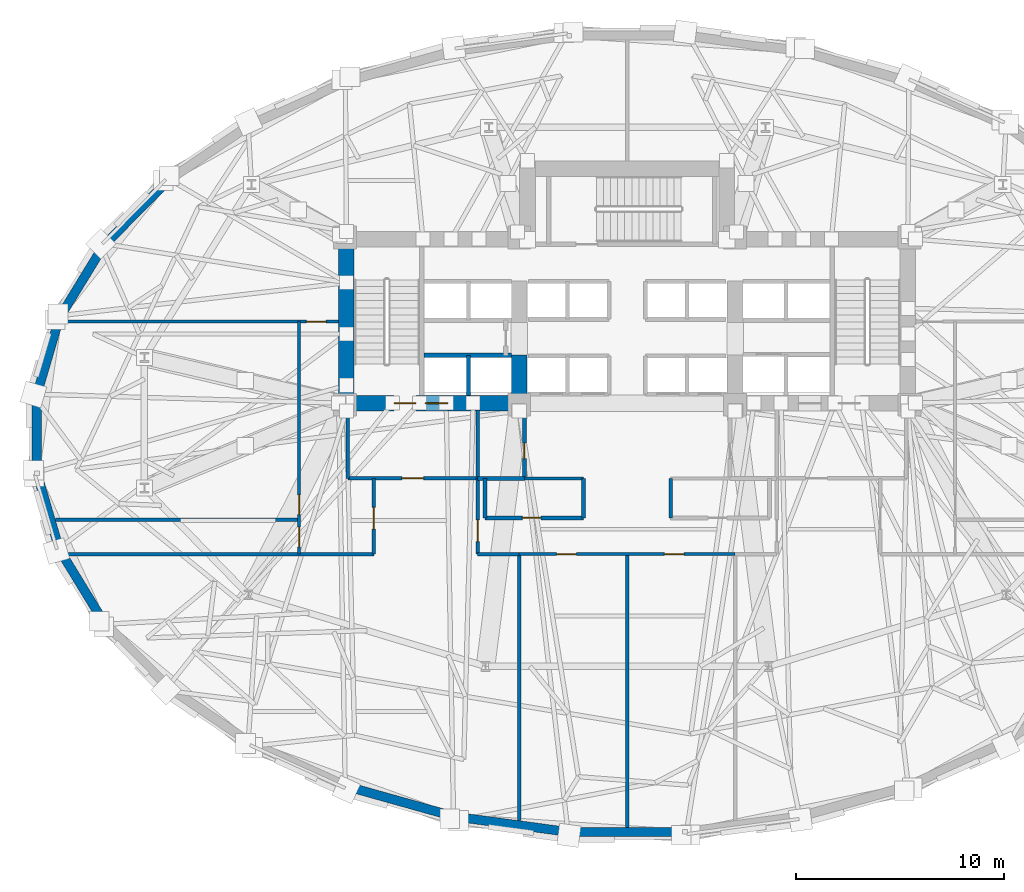
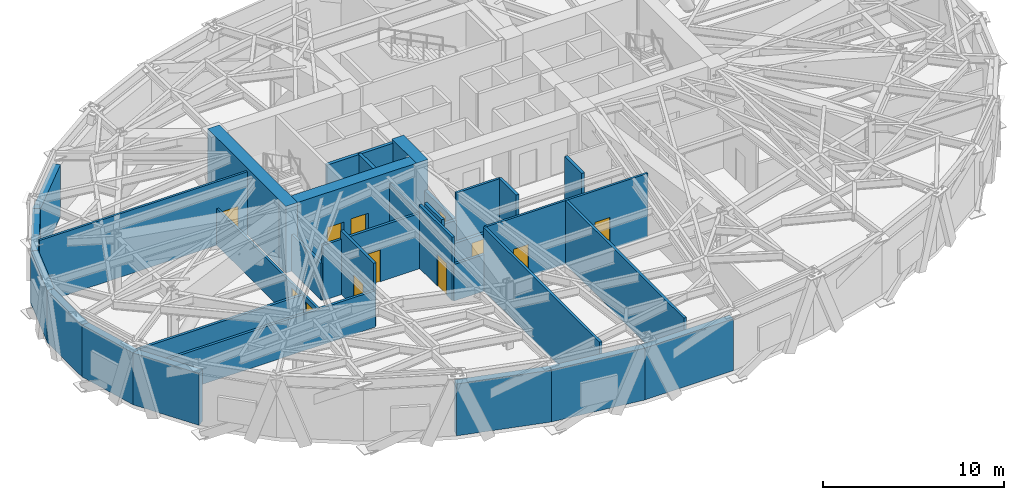
# One storey, part 7 of 14: 34 walls, 12 doors, 12 openings.
"""IFC4 building model written with IfcOpenShell, lengths in metres."""

from ifc_helpers import new_model, si_unit, direction, frame, frame_2d, origin, place, context, subcontext, project, spatial, rectangle, extrude, material, layer, layer_set, type_object, element, fill, save


model = new_model("IFC4")

# Units and contexts
model_context = context("Model", 3, precision=1e-05, world=origin(), true_north=direction((0.0, 1.0)))
body_context = subcontext(model_context, "Body", "Model", "MODEL_VIEW")
ifc_project = project(units=[si_unit("LENGTHUNIT", "METRE"), si_unit("AREAUNIT", "SQUARE_METRE"), si_unit("VOLUMEUNIT", "CUBIC_METRE"), si_unit("PLANEANGLEUNIT", "RADIAN"), si_unit("MASSUNIT", "GRAM", prefix="KILO")], contexts=[model_context])

# Site, building, storey
site_placement = place(None, origin())
site = spatial("IfcSite", under=ifc_project, at=site_placement, CompositionType="ELEMENT")
building_placement = place(site_placement, origin())
building = spatial("IfcBuilding", under=site, at=building_placement, Name="Keldmark Tower", CompositionType="ELEMENT")
storey_placement = place(building_placement, frame((0.0, 0.0, 77.39990234375)))
storey = spatial("IfcBuildingStorey", under=building, at=storey_placement, Name="L20", CompositionType="ELEMENT", Elevation=77.39990234375)

# Wall, openings, doors
ifc_material_1 = material(Name="Acoustic Double-Layer Gypsum Corridor Partition", Category="gypsum")
ifc_layer_1 = layer(ifc_material_1, 0.139892578125)
ifc_layer_set_1 = layer_set([ifc_layer_1], Name="Acoustic Double-Layer Gypsum Corridor Partition")
wall_type_1 = type_object("IfcWallType", Name="Acoustic Corridor Partition 140 mm", PredefinedType="PARTITIONING", material=ifc_layer_set_1)
wall_1_placement = place(storey_placement, frame((-5.199951171875, -5.800048828125, 0.0), z_axis=(0.0, 0.0, 1.0), x_axis=(1.0, 0.0, 0.0)))
wall_1 = element("IfcWall", 1, at=wall_1_placement, inside=storey, type_object=wall_type_1, Name="L20 Acoustic Corridor Partition 140 mm PCOR-CS", PredefinedType="PARTITIONING", context=body_context, shape_type="SweptSolid", body=[
    extrude(rectangle(XDim=10.39990234375, YDim=0.139892578125, at=frame_2d((5.199951171875, 0.0))), origin(), (0.0, 0.0, 1.0), 4.280029296875),
])
opening_1_placement = place(wall_1_placement, frame((1.800048828125, 0.0, 0.0)))
opening_1 = element("IfcOpeningElement", 2, at=opening_1_placement, cuts=wall_1, Name="Opening D-AWC95", PredefinedType="OPENING", context=body_context, shape_type="SweptSolid", body=[
    extrude(rectangle(XDim=0.949951171875, YDim=2.14990234375, at=frame_2d((0.47509765625, 1.074951171875))), frame((0.0, 0.079833984375, 0.0), z_axis=(0.0, -1.0, 0.0), x_axis=(1.0, 0.0, 0.0)), (0.0, 0.0, 1.0), 0.159912109375),
])
opening_2_placement = place(wall_1_placement, frame((7.0, 0.0, 0.0)))
opening_2 = element("IfcOpeningElement", 3, at=opening_2_placement, cuts=wall_1, Name="Opening D-AWC95", PredefinedType="OPENING", context=body_context, shape_type="SweptSolid", body=[
    extrude(rectangle(XDim=0.949951171875, YDim=2.14990234375, at=frame_2d((0.47509765625, 1.074951171875))), frame((0.0, 0.079833984375, 0.0), z_axis=(0.0, -1.0, 0.0), x_axis=(1.0, 0.0, 0.0)), (0.0, 0.0, 1.0), 0.159912109375),
])
ifc_material_2 = material(Name="Painted Solid-Core Architectural Wood", Category="wood")
door_type_1 = type_object("IfcDoorType", Name="Accessible WC Door 950x2150", OperationType="NOTDEFINED", PredefinedType="DOOR", material=ifc_material_2)
door_1_placement = place(opening_1_placement, origin())
door_1 = element("IfcDoor", 4, at=door_1_placement, inside=storey, type_object=door_type_1, Name="L20 Accessible WC Door 950x2150 D-PLSC1-L20", OperationType="SINGLE_SWING_LEFT", OverallHeight=2.14990234375, OverallWidth=0.949951171875, PredefinedType="DOOR", context=body_context, shape_type="SweptSolid", body=[
    extrude(rectangle(XDim=0.949951171875, YDim=2.14990234375, at=frame_2d((0.47509765625, 1.074951171875))), frame((0.0, 0.02490234375, 0.0), z_axis=(0.0, -1.0, 0.0), x_axis=(1.0, 0.0, 0.0)), (0.0, 0.0, 1.0), 0.050048828125),
])
fill(opening_1, door_1)
door_2_placement = place(opening_2_placement, origin())
door_2 = element("IfcDoor", 5, at=door_2_placement, inside=storey, type_object=door_type_1, Name="L20 Accessible WC Door 950x2150 D-PLSC2-L20", OperationType="SINGLE_SWING_RIGHT", OverallHeight=2.14990234375, OverallWidth=0.949951171875, PredefinedType="DOOR", context=body_context, shape_type="SweptSolid", body=[
    extrude(rectangle(XDim=0.949951171875, YDim=2.14990234375, at=frame_2d((0.47509765625, 1.074951171875))), frame((0.0, 0.02490234375, 0.0), z_axis=(0.0, -1.0, 0.0), x_axis=(1.0, 0.0, 0.0)), (0.0, 0.0, 1.0), 0.050048828125),
])
fill(opening_2, door_2)

wall_2_placement = place(storey_placement, frame((-15.800048828125, -5.800048828125, 0.0), z_axis=(0.0, 0.0, 1.0), x_axis=(0.0, 1.0, 0.0)))
wall_2 = element("IfcWall", 6, at=wall_2_placement, inside=storey, type_object=wall_type_1, Name="L20 Acoustic Corridor Partition 140 mm PCOR-W", PredefinedType="PARTITIONING", context=body_context, shape_type="SweptSolid", body=[
    extrude(rectangle(XDim=11.199951171875, YDim=0.139892578125, at=frame_2d((5.60009765625, 0.0))), origin(), (0.0, 0.0, 1.0), 2.47021484375),
])
opening_3_placement = place(wall_2_placement, frame((0.35009765625, 0.0, 0.0)))
opening_3 = element("IfcOpeningElement", 7, at=opening_3_placement, cuts=wall_2, Name="Opening D-AWC95", PredefinedType="OPENING", context=body_context, shape_type="SweptSolid", body=[
    extrude(rectangle(XDim=0.949951171875, YDim=2.14990234375, at=frame_2d((0.47509765625, 1.074951171875))), frame((0.0, 0.079833984375, 0.0), z_axis=(0.0, -1.0, 0.0), x_axis=(1.0, 0.0, 0.0)), (0.0, 0.0, 1.0), 0.159912109375),
])
opening_4_placement = place(wall_2_placement, frame((1.89990234375, 0.0, 0.0)))
opening_4 = element("IfcOpeningElement", 8, at=opening_4_placement, cuts=wall_2, Name="Opening D-AWC95", PredefinedType="OPENING", context=body_context, shape_type="SweptSolid", body=[
    extrude(rectangle(XDim=0.949951171875, YDim=2.14990234375, at=frame_2d((0.47509765625, 1.074951171875))), frame((0.0, 0.079833984375, 0.0), z_axis=(0.0, -1.0, 0.0), x_axis=(1.0, 0.0, 0.0)), (0.0, 0.0, 1.0), 0.159912109375),
])
door_3_placement = place(opening_3_placement, origin())
door_3 = element("IfcDoor", 9, at=door_3_placement, inside=storey, type_object=door_type_1, Name="L20 Accessible WC Door 950x2150 D-PLW1-L20", OperationType="SINGLE_SWING_LEFT", OverallHeight=2.14990234375, OverallWidth=0.949951171875, PredefinedType="DOOR", context=body_context, shape_type="SweptSolid", body=[
    extrude(rectangle(XDim=0.949951171875, YDim=2.14990234375, at=frame_2d((0.47509765625, 1.074951171875))), frame((0.0, 0.02490234375, 0.0), z_axis=(0.0, -1.0, 0.0), x_axis=(1.0, 0.0, 0.0)), (0.0, 0.0, 1.0), 0.050048828125),
])
fill(opening_3, door_3)
door_4_placement = place(opening_4_placement, origin())
door_4 = element("IfcDoor", 10, at=door_4_placement, inside=storey, type_object=door_type_1, Name="L20 Accessible WC Door 950x2150 D-PLW2-L20", OperationType="SINGLE_SWING_RIGHT", OverallHeight=2.14990234375, OverallWidth=0.949951171875, PredefinedType="DOOR", context=body_context, shape_type="SweptSolid", body=[
    extrude(rectangle(XDim=0.949951171875, YDim=2.14990234375, at=frame_2d((0.47509765625, 1.074951171875))), frame((0.0, 0.02490234375, 0.0), z_axis=(0.0, -1.0, 0.0), x_axis=(1.0, 0.0, 0.0)), (0.0, 0.0, 1.0), 0.050048828125),
])
fill(opening_4, door_4)

# Wall, opening, door
wall_3_placement = place(storey_placement, frame((-27.16943359375, 5.39990234375, 0.0), z_axis=(0.0, 0.0, 1.0), x_axis=(1.0, 0.0, 0.0)))
wall_3 = element("IfcWall", 11, at=wall_3_placement, inside=storey, type_object=wall_type_1, Name="L20 Acoustic Corridor Partition 140 mm PCOR-WN", PredefinedType="PARTITIONING", context=body_context, shape_type="SweptSolid", body=[
    extrude(rectangle(XDim=13.26953125, YDim=0.139892578125, at=frame_2d((6.634765625, 0.0))), origin(), (0.0, 0.0, 1.0), 4.280029296875),
])
opening_5_placement = place(wall_3_placement, frame((11.718994140625, 0.0, 0.0)))
opening_5 = element("IfcOpeningElement", 12, at=opening_5_placement, cuts=wall_3, Name="Opening D-AWC95", PredefinedType="OPENING", context=body_context, shape_type="SweptSolid", body=[
    extrude(rectangle(XDim=0.949951171875, YDim=2.14990234375, at=frame_2d((0.47509765625, 1.074951171875))), frame((0.0, 0.079833984375, 0.0), z_axis=(0.0, -1.0, 0.0), x_axis=(1.0, 0.0, 0.0)), (0.0, 0.0, 1.0), 0.159912109375),
])
door_5_placement = place(opening_5_placement, origin())
door_5 = element("IfcDoor", 13, at=door_5_placement, inside=storey, type_object=door_type_1, Name="L20 Accessible WC Door 950x2150 D-NRNW-L20", OperationType="SINGLE_SWING_LEFT", OverallHeight=2.14990234375, OverallWidth=0.949951171875, PredefinedType="DOOR", context=body_context, shape_type="SweptSolid", body=[
    extrude(rectangle(XDim=0.949951171875, YDim=2.14990234375, at=frame_2d((0.47509765625, 1.074951171875))), frame((0.0, 0.02490234375, 0.0), z_axis=(0.0, -1.0, 0.0), x_axis=(1.0, 0.0, 0.0)), (0.0, 0.0, 1.0), 0.050048828125),
])
fill(opening_5, door_5)

ifc_material_3 = material(Name="Heavy Acoustic Plumbing Chase Gypsum Assembly", Category="gypsum")
ifc_layer_2 = layer(ifc_material_3, 0.18994140625)
ifc_layer_set_2 = layer_set([ifc_layer_2], Name="Heavy Acoustic Plumbing Chase Gypsum Assembly")
wall_type_2 = type_object("IfcWallType", Name="Heavy Wet Wall 190 mm", PredefinedType="PLUMBINGWALL", material=ifc_layer_set_2)
wall_4_placement = place(storey_placement, frame((-6.85009765625, -4.050048828125, 0.0), z_axis=(0.0, 0.0, 1.0), x_axis=(1.0, 0.0, 0.0)))
wall_4 = element("IfcWall", 14, at=wall_4_placement, inside=storey, type_object=wall_type_2, Name="L20 Heavy Wet Wall 190 mm SPK-W-S", PredefinedType="PLUMBINGWALL", context=body_context, shape_type="SweptSolid", body=[
    extrude(rectangle(XDim=4.75, YDim=0.18994140625, at=frame_2d((2.375, 0.0))), origin(), (0.0, 0.0, 1.0), 2.47021484375),
])
opening_6_placement = place(wall_4_placement, frame((1.800048828125, 0.0, 0.0)))
opening_6 = element("IfcOpeningElement", 15, at=opening_6_placement, cuts=wall_4, Name="Opening D-IN090", PredefinedType="OPENING", context=body_context, shape_type="SweptSolid", body=[
    extrude(rectangle(XDim=0.89990234375, YDim=2.10009765625, at=frame_2d((0.449951171875, 1.050048828125))), frame((0.0, 0.10498046875, 0.0), z_axis=(0.0, -1.0, 0.0), x_axis=(1.0, 0.0, 0.0)), (0.0, 0.0, 1.0), 0.2099609375),
])
ifc_material_4 = material(Name="Stained American White Oak Veneer", Category="wood")
door_type_2 = type_object("IfcDoorType", Name="Interior Door 900x2100", OperationType="NOTDEFINED", PredefinedType="DOOR", material=ifc_material_4)
door_6_placement = place(opening_6_placement, origin())
door_6 = element("IfcDoor", 16, at=door_6_placement, inside=storey, type_object=door_type_2, Name="L20 Interior Door 900x2100 D-SPKW1-L20", OperationType="SINGLE_SWING_LEFT", OverallHeight=2.10009765625, OverallWidth=0.89990234375, PredefinedType="DOOR", context=body_context, shape_type="SweptSolid", body=[
    extrude(rectangle(XDim=0.89990234375, YDim=2.10009765625, at=frame_2d((0.449951171875, 1.050048828125))), frame((0.0, 0.02490234375, 0.0), z_axis=(0.0, -1.0, 0.0), x_axis=(1.0, 0.0, 0.0)), (0.0, 0.0, 1.0), 0.050048828125),
])
fill(opening_6, door_6)

# Walls
for number, where, z_axis, x_axis, name in (
    (17, (-6.85009765625, -4.050048828125, 0.0), (0.0, 0.0, 1.0), (0.0, 1.0, 0.0), "L20 Heavy Wet Wall 190 mm SPK-W-W"),
    (18, (-2.10009765625, -4.050048828125, 0.0), (0.0, 0.0, 1.0), (0.0, 1.0, 0.0), "L20 Heavy Wet Wall 190 mm SPK-W-E"),
    (19, (2.10009765625, -4.050048828125, 0.0), (0.0, 0.0, 1.0), (0.0, 1.0, 0.0), "L20 Heavy Wet Wall 190 mm SPK-E-W"),
):
    element("IfcWall", number, at=place(storey_placement, frame(where, z_axis=z_axis, x_axis=x_axis)), inside=storey, type_object=wall_type_2, Name=name, PredefinedType="PLUMBINGWALL", context=body_context, shape_type="SweptSolid", body=[
        extrude(rectangle(XDim=1.900146484375, YDim=0.18994140625, at=frame_2d((0.9501953125, 0.0))), origin(), (0.0, 0.0, 1.0), 4.280029296875),
    ])
ifc_material_5 = material(Name="Concrete C70/85", Category="concrete")
ifc_layer_3 = layer(ifc_material_5, 0.75)
ifc_layer_set_3 = layer_set([ifc_layer_3], Name="Concrete C70/85")
wall_type_3 = type_object("IfcWallType", Name="Low-Mid Core Shear Wall 750 mm", PredefinedType="SHEAR", material=ifc_layer_set_3)
wall_5_placement = place(storey_placement, frame((-13.52490234375, 1.10009765625, 0.0), z_axis=(0.0, 0.0, 1.0), x_axis=(0.0, 1.0, 0.0)))
element("IfcWall", 20, at=wall_5_placement, inside=storey, type_object=wall_type_3, Name="L20 West Core Outer Shear Wall", PredefinedType="SHEAR", context=body_context, shape_type="SweptSolid", body=[
    extrude(rectangle(XDim=8.64990234375, YDim=0.75, at=frame_2d((4.324951171875, 0.0))), origin(), (0.0, 0.0, 1.0), 4.5),
])

# Wall, openings, doors
wall_6_placement = place(storey_placement, frame((-4.824951171875, 1.47509765625, 0.0), z_axis=(0.0, 0.0, 1.0), x_axis=(-1.0, 0.0, 0.0)))
wall_6 = element("IfcWall", 21, at=wall_6_placement, inside=storey, type_object=wall_type_3, Name="L20 West Core South Shear Wall", PredefinedType="SHEAR", context=body_context, shape_type="SweptSolid", body=[
    extrude(rectangle(XDim=9.074951171875, YDim=0.75, at=frame_2d((4.53759765625, 0.0))), origin(), (0.0, 0.0, 1.0), 4.5),
])
opening_7_placement = place(wall_6_placement, frame((5.35498046875, 0.0, 0.0)))
opening_7 = element("IfcOpeningElement", 22, at=opening_7_placement, cuts=wall_6, Name="Opening D-ST105", PredefinedType="OPENING", context=body_context, shape_type="SweptSolid", body=[
    extrude(rectangle(XDim=1.050048828125, YDim=2.14990234375, at=frame_2d((0.52490234375, 1.074951171875))), frame((0.0, 0.385009765625, 0.0), z_axis=(0.0, -1.0, 0.0), x_axis=(1.0, 0.0, 0.0)), (0.0, 0.0, 1.0), 0.77001953125),
])
opening_8_placement = place(wall_6_placement, frame((3.804931640625, 0.0, 0.0)))
opening_8 = element("IfcOpeningElement", 23, at=opening_8_placement, cuts=wall_6, Name="Opening LD-110", PredefinedType="OPENING", context=body_context, shape_type="SweptSolid", body=[
    extrude(rectangle(XDim=1.10009765625, YDim=2.199951171875, at=frame_2d((0.550048828125, 1.10009765625))), frame((0.0, 0.385009765625, 0.0), z_axis=(0.0, -1.0, 0.0), x_axis=(1.0, 0.0, 0.0)), (0.0, 0.0, 1.0), 0.77001953125),
])
ifc_material_6 = material(Name="Brushed Bronze Hoistway Sliding Leaf", Category="metal")
door_type_3 = type_object("IfcDoorType", Name="Lift Landing Sliding Door 1100x2200", OperationType="SLIDING_TO_LEFT", PredefinedType="DOOR", material=ifc_material_6)
door_7_placement = place(opening_8_placement, origin())
door_7 = element("IfcDoor", 24, at=door_7_placement, inside=storey, type_object=door_type_3, Name="L20 Lift Landing Sliding Door 1100x2200 LD-EL-FS1-L20", OperationType="SLIDING_TO_LEFT", OverallHeight=2.199951171875, OverallWidth=1.10009765625, PredefinedType="DOOR", context=body_context, shape_type="SweptSolid", body=[
    extrude(rectangle(XDim=1.10009765625, YDim=2.199951171875, at=frame_2d((0.550048828125, 1.10009765625))), frame((0.0, 0.02490234375, 0.0), z_axis=(0.0, -1.0, 0.0), x_axis=(1.0, 0.0, 0.0)), (0.0, 0.0, 1.0), 0.050048828125),
])
fill(opening_8, door_7)
ifc_material_7 = material(Name="Hollow Metal Fire-Rated Door Assembly", Category="metal")
door_type_4 = type_object("IfcDoorType", Name="Stair Fire Door 1050x2150", OperationType="NOTDEFINED", PredefinedType="DOOR", material=ifc_material_7)
door_8_placement = place(opening_7_placement, origin())
door_8 = element("IfcDoor", 25, at=door_8_placement, inside=storey, type_object=door_type_4, Name="L20 Stair Fire Door 1050x2150 D-ST1-L20", OperationType="SINGLE_SWING_RIGHT", OverallHeight=2.14990234375, OverallWidth=1.050048828125, PredefinedType="DOOR", context=body_context, shape_type="SweptSolid", body=[
    extrude(rectangle(XDim=1.050048828125, YDim=2.14990234375, at=frame_2d((0.52490234375, 1.074951171875))), frame((0.0, 0.02490234375, 0.0), z_axis=(0.0, -1.0, 0.0), x_axis=(1.0, 0.0, 0.0)), (0.0, 0.0, 1.0), 0.050048828125),
])
fill(opening_7, door_8)

# Wall
wall_7_placement = place(storey_placement, frame((-5.199951171875, 1.10009765625, 0.0), z_axis=(0.0, 0.0, 1.0), x_axis=(0.0, 1.0, 0.0)))
element("IfcWall", 26, at=wall_7_placement, inside=storey, type_object=wall_type_3, Name="L20 West Core Inner Shear Pier South", PredefinedType="SHEAR", context=body_context, shape_type="SweptSolid", body=[
    extrude(rectangle(XDim=2.699951171875, YDim=0.75, at=frame_2d((1.35009765625, 0.0))), origin(), (0.0, 0.0, 1.0), 4.5),
])

# Wall, opening, door
ifc_material_8 = material(Name="Type X Fire-Rated Gypsum Partition Assembly", Category="gypsum")
ifc_layer_4 = layer(ifc_material_8, 0.1650390625)
ifc_layer_set_4 = layer_set([ifc_layer_4], Name="Type X Fire-Rated Gypsum Partition Assembly")
wall_type_4 = type_object("IfcWallType", Name="Rated Partition 165 mm", PredefinedType="PARTITIONING", material=ifc_layer_set_4)
wall_8_placement = place(storey_placement, frame((-13.449951171875, -2.14990234375, 0.0), z_axis=(0.0, 0.0, 1.0), x_axis=(1.0, 0.0, 0.0)))
wall_8 = element("IfcWall", 27, at=wall_8_placement, inside=storey, type_object=wall_type_4, Name="L20 Rated Partition 165 mm FSAE-W-S", PredefinedType="PARTITIONING", context=body_context, shape_type="SweptSolid", body=[
    extrude(rectangle(XDim=6.25, YDim=0.1650390625, at=frame_2d((3.125, 0.0))), origin(), (0.0, 0.0, 1.0), 3.733154296875),
])
opening_9_placement = place(wall_8_placement, frame((2.60009765625, 0.0, 0.0)))
opening_9 = element("IfcOpeningElement", 28, at=opening_9_placement, cuts=wall_8, Name="Opening D-FL105", PredefinedType="OPENING", context=body_context, shape_type="SweptSolid", body=[
    extrude(rectangle(XDim=1.050048828125, YDim=2.14990234375, at=frame_2d((0.52490234375, 1.074951171875))), frame((0.0, 0.092529296875, 0.0), z_axis=(0.0, -1.0, 0.0), x_axis=(1.0, 0.0, 0.0)), (0.0, 0.0, 1.0), 0.18505859375),
])
ifc_material_9 = material(Name="Fire-Rated Mineral-Core Door and Vision Lite", Category="metal")
door_type_5 = type_object("IfcDoorType", Name="Fire Lobby Door 1050x2150", OperationType="NOTDEFINED", PredefinedType="DOOR", material=ifc_material_9)
door_9_placement = place(opening_9_placement, origin())
door_9 = element("IfcDoor", 29, at=door_9_placement, inside=storey, type_object=door_type_5, Name="L20 Fire Lobby Door 1050x2150 D-REFW-FSAE-L20", OperationType="SINGLE_SWING_LEFT", OverallHeight=2.14990234375, OverallWidth=1.050048828125, PredefinedType="DOOR", context=body_context, shape_type="SweptSolid", body=[
    extrude(rectangle(XDim=1.050048828125, YDim=2.14990234375, at=frame_2d((0.52490234375, 1.074951171875))), frame((0.0, 0.02490234375, 0.0), z_axis=(0.0, -1.0, 0.0), x_axis=(1.0, 0.0, 0.0)), (0.0, 0.0, 1.0), 0.050048828125),
])
fill(opening_9, door_9)

# Walls
wall_9_placement = place(storey_placement, frame((-13.449951171875, -2.14990234375, 0.0), z_axis=(0.0, 0.0, 1.0), x_axis=(0.0, 1.0, 0.0)))
element("IfcWall", 30, at=wall_9_placement, inside=storey, type_object=wall_type_4, Name="L20 Rated Partition 165 mm FSAE-W-W", PredefinedType="PARTITIONING", context=body_context, shape_type="SweptSolid", body=[
    extrude(rectangle(XDim=3.2998046875, YDim=0.1650390625, at=frame_2d((1.64990234375, 0.0))), origin(), (0.0, 0.0, 1.0), 2.47021484375),
])
wall_10_placement = place(storey_placement, frame((-7.199951171875, -2.14990234375, 0.0), z_axis=(0.0, 0.0, 1.0), x_axis=(0.0, 1.0, 0.0)))
element("IfcWall", 31, at=wall_10_placement, inside=storey, type_object=wall_type_4, Name="L20 Rated Partition 165 mm FSAE-W-E", PredefinedType="PARTITIONING", context=body_context, shape_type="SweptSolid", body=[
    extrude(rectangle(XDim=3.2998046875, YDim=0.1650390625, at=frame_2d((1.64990234375, 0.0))), origin(), (0.0, 0.0, 1.0), 3.733154296875),
])

# Wall, opening, door
wall_11_placement = place(storey_placement, frame((-12.199951171875, -5.800048828125, 0.0), z_axis=(0.0, 0.0, 1.0), x_axis=(0.0, 1.0, 0.0)))
wall_11 = element("IfcWall", 32, at=wall_11_placement, inside=storey, type_object=wall_type_4, Name="L20 Rated Partition 165 mm REF-WT-W", PredefinedType="PARTITIONING", context=body_context, shape_type="SweptSolid", body=[
    extrude(rectangle(XDim=3.650146484375, YDim=0.1650390625, at=frame_2d((1.8251953125, 0.0))), origin(), (0.0, 0.0, 1.0), 4.280029296875),
])
opening_10_placement = place(wall_11_placement, frame((1.199951171875, 0.0, 0.0)))
opening_10 = element("IfcOpeningElement", 33, at=opening_10_placement, cuts=wall_11, Name="Opening D-FL105", PredefinedType="OPENING", context=body_context, shape_type="SweptSolid", body=[
    extrude(rectangle(XDim=1.050048828125, YDim=2.14990234375, at=frame_2d((0.52490234375, 1.074951171875))), frame((0.0, 0.092529296875, 0.0), z_axis=(0.0, -1.0, 0.0), x_axis=(1.0, 0.0, 0.0)), (0.0, 0.0, 1.0), 0.18505859375),
])
door_10_placement = place(opening_10_placement, origin())
door_10 = element("IfcDoor", 34, at=door_10_placement, inside=storey, type_object=door_type_5, Name="L20 Fire Lobby Door 1050x2150 D-REFW-CORW-L20", OperationType="SINGLE_SWING_LEFT", OverallHeight=2.14990234375, OverallWidth=1.050048828125, PredefinedType="DOOR", context=body_context, shape_type="SweptSolid", body=[
    extrude(rectangle(XDim=1.050048828125, YDim=2.14990234375, at=frame_2d((0.52490234375, 1.074951171875))), frame((0.0, 0.02490234375, 0.0), z_axis=(0.0, -1.0, 0.0), x_axis=(1.0, 0.0, 0.0)), (0.0, 0.0, 1.0), 0.050048828125),
])
fill(opening_10, door_10)

wall_12_placement = place(storey_placement, frame((-7.199951171875, -5.800048828125, 0.0), z_axis=(0.0, 0.0, 1.0), x_axis=(0.0, 1.0, 0.0)))
wall_12 = element("IfcWall", 35, at=wall_12_placement, inside=storey, type_object=wall_type_4, Name="L20 Rated Partition 165 mm REF-WT-E", PredefinedType="PARTITIONING", context=body_context, shape_type="SweptSolid", body=[
    extrude(rectangle(XDim=3.650146484375, YDim=0.1650390625, at=frame_2d((1.8251953125, 0.0))), origin(), (0.0, 0.0, 1.0), 4.280029296875),
])
opening_11_placement = place(wall_12_placement, frame((0.60009765625, 0.0, 0.0)))
opening_11 = element("IfcOpeningElement", 36, at=opening_11_placement, cuts=wall_12, Name="Opening D-FL105", PredefinedType="OPENING", context=body_context, shape_type="SweptSolid", body=[
    extrude(rectangle(XDim=1.050048828125, YDim=2.14990234375, at=frame_2d((0.52490234375, 1.074951171875))), frame((0.0, 0.092529296875, 0.0), z_axis=(0.0, -1.0, 0.0), x_axis=(1.0, 0.0, 0.0)), (0.0, 0.0, 1.0), 0.18505859375),
])
door_11_placement = place(opening_11_placement, origin())
door_11 = element("IfcDoor", 37, at=door_11_placement, inside=storey, type_object=door_type_5, Name="L20 Fire Lobby Door 1050x2150 D-REFW-CORE-L20", OperationType="SINGLE_SWING_RIGHT", OverallHeight=2.14990234375, OverallWidth=1.050048828125, PredefinedType="DOOR", context=body_context, shape_type="SweptSolid", body=[
    extrude(rectangle(XDim=1.050048828125, YDim=2.14990234375, at=frame_2d((0.52490234375, 1.074951171875))), frame((0.0, 0.02490234375, 0.0), z_axis=(0.0, -1.0, 0.0), x_axis=(1.0, 0.0, 0.0)), (0.0, 0.0, 1.0), 0.050048828125),
])
fill(opening_11, door_11)

# Walls
wall_13_placement = place(storey_placement, frame((-5.199951171875, -18.6337890625, 0.0), z_axis=(0.0, 0.0, 1.0), x_axis=(0.0, 1.0, 0.0)))
element("IfcWall", 38, at=wall_13_placement, inside=storey, type_object=wall_type_4, Name="L20 Rated Partition 165 mm REF-S-W", PredefinedType="PARTITIONING", context=body_context, shape_type="SweptSolid", body=[
    extrude(rectangle(XDim=12.833740234375, YDim=0.1650390625, at=frame_2d((6.4169921875, 0.0))), origin(), (0.0, 0.0, 1.0), 4.280029296875),
])
wall_14_placement = place(storey_placement, frame((-26.949462890625, -5.800048828125, 0.0), z_axis=(0.0, 0.0, 1.0), x_axis=(1.0, 0.0, 0.0)))
element("IfcWall", 39, at=wall_14_placement, inside=storey, type_object=wall_type_4, Name="L20 Rated Partition 165 mm REF-CAP-W", PredefinedType="PARTITIONING", context=body_context, shape_type="SweptSolid", body=[
    extrude(rectangle(XDim=14.74951171875, YDim=0.1650390625, at=frame_2d((7.374755859375, 0.0))), origin(), (0.0, 0.0, 1.0), 2.47021484375),
])
wall_15_placement = place(storey_placement, frame((-7.199951171875, -5.800048828125, 0.0), z_axis=(0.0, 0.0, 1.0), x_axis=(1.0, 0.0, 0.0)))
element("IfcWall", 40, at=wall_15_placement, inside=storey, type_object=wall_type_4, Name="L20 Rated Partition 165 mm REF-CAP-WC", PredefinedType="PARTITIONING", context=body_context, shape_type="SweptSolid", body=[
    extrude(rectangle(XDim=2.0, YDim=0.1650390625, at=frame_2d((1.0, 0.0))), origin(), (0.0, 0.0, 1.0), 2.47021484375),
])
wall_16_placement = place(storey_placement, frame((0.0, -18.9580078125, 0.0), z_axis=(0.0, 0.0, 1.0), x_axis=(0.0, 1.0, 0.0)))
element("IfcWall", 41, at=wall_16_placement, inside=storey, type_object=wall_type_4, Name="L20 Rated Partition 165 mm SPL-DIV", PredefinedType="PARTITIONING", context=body_context, shape_type="SweptSolid", body=[
    extrude(rectangle(XDim=13.157958984375, YDim=0.1650390625, at=frame_2d((6.5791015625, 0.0))), origin(), (0.0, 0.0, 1.0), 4.280029296875),
])
wall_17_placement = place(storey_placement, frame((-27.53662109375, -4.14990234375, 0.0), z_axis=(0.0, 0.0, 1.0), x_axis=(1.0, 0.0, 0.0)))
element("IfcWall", 42, at=wall_17_placement, inside=storey, type_object=wall_type_4, Name="L20 Rated Partition 165 mm WPL-DIV", PredefinedType="PARTITIONING", context=body_context, shape_type="SweptSolid", body=[
    extrude(rectangle(XDim=11.736572265625, YDim=0.1650390625, at=frame_2d((5.8681640625, 0.0))), origin(), (0.0, 0.0, 1.0), 2.47021484375),
])
ifc_material_10 = material(Name="Fire-Resistant Type X Gypsum Shaftliner Coreboard", Category="gypsum")
ifc_layer_5 = layer(ifc_material_10, 0.199951171875)
ifc_layer_set_5 = layer_set([ifc_layer_5], Name="Fire-Resistant Type X Gypsum Shaftliner Coreboard")
wall_type_5 = type_object("IfcWallType", Name="Shaft Wall 200 mm", PredefinedType="SOLIDWALL", material=ifc_layer_set_5)
wall_18_placement = place(storey_placement, frame((-7.199951171875, -2.14990234375, 0.0), z_axis=(0.0, 0.0, 1.0), x_axis=(1.0, 0.0, 0.0)))
element("IfcWall", 43, at=wall_18_placement, inside=storey, type_object=wall_type_5, Name="L20 Shaft Wall 200 mm RIS-SW-S", PredefinedType="SOLIDWALL", context=body_context, shape_type="SweptSolid", body=[
    extrude(rectangle(XDim=2.25, YDim=0.199951171875, at=frame_2d((1.125, 0.0))), origin(), (0.0, 0.0, 1.0), 2.47021484375),
])

# Wall, opening, door
wall_19_placement = place(storey_placement, frame((-4.949951171875, -2.14990234375, 0.0), z_axis=(0.0, 0.0, 1.0), x_axis=(0.0, 1.0, 0.0)))
wall_19 = element("IfcWall", 44, at=wall_19_placement, inside=storey, type_object=wall_type_5, Name="L20 Shaft Wall 200 mm RIS-SW-E", PredefinedType="SOLIDWALL", context=body_context, shape_type="SweptSolid", body=[
    extrude(rectangle(XDim=3.2998046875, YDim=0.199951171875, at=frame_2d((1.64990234375, 0.0))), origin(), (0.0, 0.0, 1.0), 2.47021484375),
])
opening_12_placement = place(wall_19_placement, frame((0.949951171875, 0.0, 0.0)))
opening_12 = element("IfcOpeningElement", 45, at=opening_12_placement, cuts=wall_19, Name="Opening D-RS075", PredefinedType="OPENING", context=body_context, shape_type="SweptSolid", body=[
    extrude(rectangle(XDim=0.75, YDim=2.10009765625, at=frame_2d((0.375, 1.050048828125))), frame((0.0, 0.10986328125, 0.0), z_axis=(0.0, -1.0, 0.0), x_axis=(1.0, 0.0, 0.0)), (0.0, 0.0, 1.0), 0.219970703125),
])
ifc_material_11 = material(Name="Galvanized Fire-Rated Access Leaf", Category="metal")
door_type_6 = type_object("IfcDoorType", Name="Riser Access Door 750x2100", OperationType="NOTDEFINED", PredefinedType="DOOR", material=ifc_material_11)
door_12_placement = place(opening_12_placement, origin())
door_12 = element("IfcDoor", 46, at=door_12_placement, inside=storey, type_object=door_type_6, Name="L20 Riser Access Door 750x2100 D-RISSW-L20", OperationType="SINGLE_SWING_RIGHT", OverallHeight=2.10009765625, OverallWidth=0.75, PredefinedType="DOOR", context=body_context, shape_type="SweptSolid", body=[
    extrude(rectangle(XDim=0.75, YDim=2.10009765625, at=frame_2d((0.375, 1.050048828125))), frame((0.0, 0.02490234375, 0.0), z_axis=(0.0, -1.0, 0.0), x_axis=(1.0, 0.0, 0.0)), (0.0, 0.0, 1.0), 0.050048828125),
])
fill(opening_12, door_12)

# Walls
wall_20_placement = place(storey_placement, frame((-9.780029296875, 3.780029296875, 0.0), z_axis=(0.0, 0.0, 1.0), x_axis=(1.0, 0.0, 0.0)))
element("IfcWall", 47, at=wall_20_placement, inside=storey, type_object=wall_type_5, Name="L20 Shaft Wall 200 mm HW-W-S", PredefinedType="SOLIDWALL", context=body_context, shape_type="SweptSolid", body=[
    extrude(rectangle(XDim=4.205078125, YDim=0.199951171875, at=frame_2d((2.1025390625, 0.0))), origin(), (0.0, 0.0, 1.0), 4.280029296875),
])
wall_21_placement = place(storey_placement, frame((-7.64990234375, 1.85009765625, 0.0), z_axis=(0.0, 0.0, 1.0), x_axis=(0.0, 1.0, 0.0)))
element("IfcWall", 48, at=wall_21_placement, inside=storey, type_object=wall_type_5, Name="L20 Shaft Wall 200 mm HW-W-M", PredefinedType="SOLIDWALL", context=body_context, shape_type="SweptSolid", body=[
    extrude(rectangle(XDim=1.929931640625, YDim=0.199951171875, at=frame_2d((0.96484375, 0.0))), origin(), (0.0, 0.0, 1.0), 4.280029296875),
])
ifc_material_12 = material(Name="Ironspot Manganese Brick and Kasota Buff Limestone Spandrel Assembly", Category="masonry")
ifc_layer_6 = layer(ifc_material_12, 0.43994140625)
ifc_layer_set_6 = layer_set([ifc_layer_6], Name="Ironspot Manganese Brick and Kasota Buff Limestone Spandrel Assembly")
wall_type_6 = type_object("IfcWallType", Name="Tower Brick Pier and Spandrel Wall 440 mm", PredefinedType="STANDARD", material=ifc_layer_set_6)
wall_22_placement = place(storey_placement, frame((-25.24267578125, 9.03759765625, 0.0), z_axis=(0.0, 0.0, 1.0), x_axis=(0.702361901729, 0.711820032733, 0.0)))
element("IfcWall", 49, at=wall_22_placement, inside=storey, type_object=wall_type_6, Name="L20 Exterior Brick and Spandrel Wall 13", PredefinedType="STANDARD", context=body_context, shape_type="SweptSolid", body=[
    extrude(rectangle(XDim=4.465576171875, YDim=0.43994140625, at=frame_2d((2.23291015625, 0.0))), origin(), (0.0, 0.0, 1.0), 3.498046875),
])
wall_23_placement = place(storey_placement, frame((-27.372314453125, 5.5458984375, 0.0), z_axis=(0.0, 0.0, 1.0), x_axis=(0.521891226532, 0.85301204427, 0.0)))
element("IfcWall", 50, at=wall_23_placement, inside=storey, type_object=wall_type_6, Name="L20 Exterior Brick and Spandrel Wall 14", PredefinedType="STANDARD", context=body_context, shape_type="SweptSolid", body=[
    extrude(rectangle(XDim=4.14013671875, YDim=0.43994140625, at=frame_2d((2.070068359375, 0.0))), origin(), (0.0, 0.0, 1.0), 3.498046875),
])
wall_24_placement = place(storey_placement, frame((-28.4501953125, 1.849365234375, 0.0), z_axis=(0.0, 0.0, 1.0), x_axis=(0.281834819638, 0.959462940629, 0.0)))
element("IfcWall", 51, at=wall_24_placement, inside=storey, type_object=wall_type_6, Name="L20 Exterior Brick and Spandrel Wall 15", PredefinedType="STANDARD", context=body_context, shape_type="SweptSolid", body=[
    extrude(rectangle(XDim=3.90771484375, YDim=0.43994140625, at=frame_2d((1.953857421875, 0.0))), origin(), (0.0, 0.0, 1.0), 3.498046875),
])
wall_25_placement = place(storey_placement, frame((-28.44140625, -1.911376953125, 0.0), z_axis=(0.0, 0.0, 1.0), x_axis=(0.0, 1.0, 0.0)))
element("IfcWall", 52, at=wall_25_placement, inside=storey, type_object=wall_type_6, Name="L20 Exterior Brick and Spandrel Wall 16", PredefinedType="STANDARD", context=body_context, shape_type="SweptSolid", body=[
    extrude(rectangle(XDim=3.82275390625, YDim=0.43994140625, at=frame_2d((1.911376953125, 0.0))), origin(), (0.0, 0.0, 1.0), 3.498046875),
])
wall_26_placement = place(storey_placement, frame((-27.348876953125, -5.5986328125, 0.0), z_axis=(0.0, 0.0, 1.0), x_axis=(-0.281834819638, 0.959462940629, 0.0)))
element("IfcWall", 53, at=wall_26_placement, inside=storey, type_object=wall_type_6, Name="L20 Exterior Brick and Spandrel Wall 17", PredefinedType="STANDARD", context=body_context, shape_type="SweptSolid", body=[
    extrude(rectangle(XDim=3.90771484375, YDim=0.43994140625, at=frame_2d((1.953857421875, 0.0))), origin(), (0.0, 0.0, 1.0), 3.498046875),
])
wall_27_placement = place(storey_placement, frame((-25.211669921875, -9.077392578125, 0.0), z_axis=(0.0, 0.0, 1.0), x_axis=(-0.521891226532, 0.85301204427, 0.0)))
element("IfcWall", 54, at=wall_27_placement, inside=storey, type_object=wall_type_6, Name="L20 Exterior Brick and Spandrel Wall 18", PredefinedType="STANDARD", context=body_context, shape_type="SweptSolid", body=[
    extrude(rectangle(XDim=4.14013671875, YDim=0.43994140625, at=frame_2d((2.070068359375, 0.0))), origin(), (0.0, 0.0, 1.0), 3.498046875),
])
wall_28_placement = place(storey_placement, frame((-8.30078125, -18.448486328125, 0.0), z_axis=(0.0, 0.0, 1.0), x_axis=(-0.962849260033, 0.270039446109, 0.0)))
element("IfcWall", 55, at=wall_28_placement, inside=storey, type_object=wall_type_6, Name="L20 Exterior Brick and Spandrel Wall 22", PredefinedType="STANDARD", context=body_context, shape_type="SweptSolid", body=[
    extrude(rectangle(XDim=5.417236328125, YDim=0.43994140625, at=frame_2d((2.70849609375, 0.0))), origin(), (0.0, 0.0, 1.0), 3.498046875),
])
wall_29_placement = place(storey_placement, frame((-2.79345703125, -19.18798828125, 0.0), z_axis=(0.0, 0.0, 1.0), x_axis=(-0.9910561058, 0.133445851026, 0.0)))
element("IfcWall", 56, at=wall_29_placement, inside=storey, type_object=wall_type_6, Name="L20 Exterior Brick and Spandrel Wall 23", PredefinedType="STANDARD", context=body_context, shape_type="SweptSolid", body=[
    extrude(rectangle(XDim=5.58740234375, YDim=0.43994140625, at=frame_2d((2.793701171875, 0.0))), origin(), (0.0, 0.0, 1.0), 3.498046875),
])
wall_30_placement = place(storey_placement, frame((2.822998046875, -19.18603515625, 0.0), z_axis=(0.0, 0.0, 1.0), x_axis=(-1.0, 0.0, 0.0)))
element("IfcWall", 57, at=wall_30_placement, inside=storey, type_object=wall_type_6, Name="L20 Exterior Brick and Spandrel Wall 24", PredefinedType="STANDARD", context=body_context, shape_type="SweptSolid", body=[
    extrude(rectangle(XDim=5.64599609375, YDim=0.43994140625, at=frame_2d((2.822998046875, 0.0))), origin(), (0.0, 0.0, 1.0), 3.498046875),
])
ifc_material_13 = material(Name="Moisture-Resistant Gypsum Plumbing Partition", Category="gypsum")
ifc_layer_7 = layer(ifc_material_13, 0.14990234375)
ifc_layer_set_7 = layer_set([ifc_layer_7], Name="Moisture-Resistant Gypsum Plumbing Partition")
wall_type_7 = type_object("IfcWallType", Name="Wet Wall 150 mm", PredefinedType="PLUMBINGWALL", material=ifc_layer_set_7)
wall_31_placement = place(storey_placement, frame((-4.949951171875, -2.14990234375, 0.0), z_axis=(0.0, 0.0, 1.0), x_axis=(1.0, 0.0, 0.0)))
element("IfcWall", 58, at=wall_31_placement, inside=storey, type_object=wall_type_7, Name="L20 Wet Wall 150 mm SPK-W-N", PredefinedType="PLUMBINGWALL", context=body_context, shape_type="SweptSolid", body=[
    extrude(rectangle(XDim=2.849853515625, YDim=0.14990234375, at=frame_2d((1.4248046875, 0.0))), origin(), (0.0, 0.0, 1.0), 4.280029296875),
])

save(model, "model.ifc")
